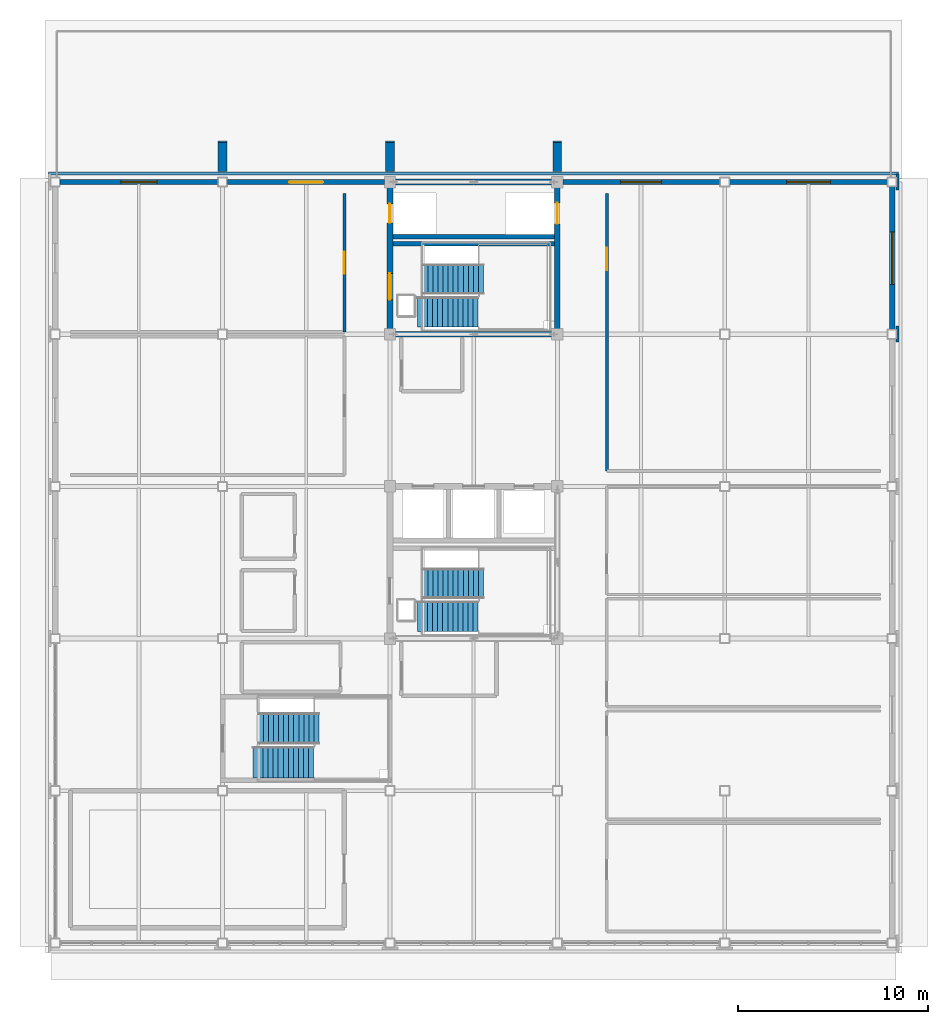
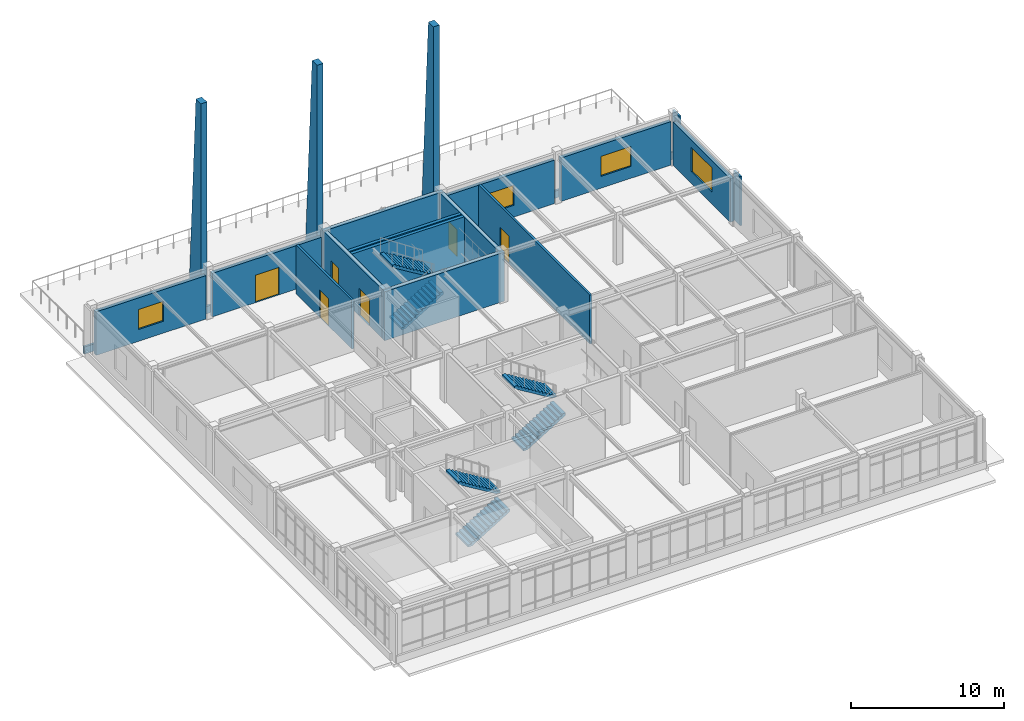
# One storey, part 16 of 22: 19 walls, 6 doors, 6 stair flights, 4 windows, 10 openings, 3 elements without a shape of their own.
"""IFC4 building model written with IfcOpenShell, lengths in metres."""

from ifc_helpers import new_model, si_unit, direction, frame, frame_2d, origin, place, context, subcontext, project, spatial, polyline, rectangle, outline, extrude, material, layer, layer_set, type_object, element, fill, aggregate, save


model = new_model("IFC4")

# Units and contexts
model_context = context("Model", 3, precision=1e-05, world=origin(), true_north=direction((0.0, 1.0)))
body_context = subcontext(model_context, "Body", "Model", "MODEL_VIEW")
ifc_project = project(units=[si_unit("LENGTHUNIT", "METRE"), si_unit("AREAUNIT", "SQUARE_METRE"), si_unit("VOLUMEUNIT", "CUBIC_METRE"), si_unit("PLANEANGLEUNIT", "RADIAN"), si_unit("MASSUNIT", "GRAM", prefix="KILO")], contexts=[model_context])

# Site, building, storey
site_placement = place(None, origin())
site = spatial("IfcSite", under=ifc_project, at=site_placement, CompositionType="ELEMENT")
building_placement = place(site_placement, origin())
building = spatial("IfcBuilding", under=site, at=building_placement, Name="Zhaolan Boulevard Law Courts", CompositionType="ELEMENT")
storey_placement = place(building_placement, frame((0.0, 0.0, 28.800048828125)))
storey = spatial("IfcBuildingStorey", under=building, at=storey_placement, Name="L06", CompositionType="ELEMENT", Elevation=28.800048828125)

# Walls
ifc_material_1 = material(Name="Concrete C50", Category="concrete")
ifc_layer_1 = layer(ifc_material_1, 0.300048828125)
ifc_layer_set_1 = layer_set([ifc_layer_1])
wall_type_1 = type_object("IfcWallType", Name="CORE SHEAR WALL 300", PredefinedType="SHEAR", material=ifc_layer_set_1)
for number, where, z_axis, x_axis, name in (
    (1, (17.449951171875, 62.0, 0.0), (0.0, 0.0, 1.0), (1.0, 0.0, 0.0), "Core Shear Wall CW-W2-L06S"),
    (2, (26.550048828125, 70.0, 0.0), (0.0, 0.0, 1.0), (-1.0, 0.0, 0.0), "Core Shear Wall CW-W2-L06N"),
):
    element("IfcWall", number, at=place(storey_placement, frame(where, z_axis=z_axis, x_axis=x_axis)), inside=storey, type_object=wall_type_1, Name=name, PredefinedType="SHEAR", context=body_context, shape_type="SweptSolid", body=[
        extrude(rectangle(XDim=9.10009765625, YDim=0.300048828125, at=frame_2d((4.550048828125, 0.0))), origin(), (0.0, 0.0, 1.0), 3.919921875),
    ])

# Wall, openings, doors
wall_1_placement = place(storey_placement, frame((17.60009765625, 62.14990234375, 0.0), z_axis=(0.0, 0.0, 1.0), x_axis=(0.0, 1.0, 0.0)))
wall_1 = element("IfcWall", 3, at=wall_1_placement, inside=storey, type_object=wall_type_1, Name="Core Shear Wall CW-W2-L06W", PredefinedType="SHEAR", context=body_context, shape_type="SweptSolid", body=[
    extrude(rectangle(XDim=7.7001953125, YDim=0.300048828125, at=frame_2d((3.85009765625, 0.0))), origin(), (0.0, 0.0, 1.0), 3.919921875),
])
opening_1_placement = place(wall_1_placement, frame((1.64990234375, 0.0, 0.0)))
opening_1 = element("IfcOpeningElement", 4, at=opening_1_placement, cuts=wall_1, Name="Opening SD-L06-19", PredefinedType="OPENING", context=body_context, shape_type="SweptSolid", body=[
    extrude(rectangle(XDim=1.39990234375, YDim=2.199951171875, at=frame_2d((0.699951171875, 1.10009765625))), frame((0.0, 0.159912109375, 0.0), z_axis=(0.0, -1.0, 0.0), x_axis=(1.0, 0.0, 0.0)), (0.0, 0.0, 1.0), 0.320068359375),
])
opening_2_placement = place(wall_1_placement, frame((5.699951171875, 0.0, 0.0)))
opening_2 = element("IfcOpeningElement", 5, at=opening_2_placement, cuts=wall_1, Name="Opening LD-JL-02-L06", PredefinedType="OPENING", context=body_context, shape_type="SweptSolid", body=[
    extrude(rectangle(XDim=1.0, YDim=2.14990234375, at=frame_2d((0.5, 1.074951171875))), frame((0.0, 0.159912109375, 0.0), z_axis=(0.0, -1.0, 0.0), x_axis=(1.0, 0.0, 0.0)), (0.0, 0.0, 1.0), 0.320068359375),
])
ifc_material_2 = material(Name="Stainless steel sliding landing door", Category="steel")
door_type_1 = type_object("IfcDoorType", Name="LIFT LANDING 1000X2150", OperationType="DOUBLE_DOOR_SLIDING", PredefinedType="DOOR", material=ifc_material_2)
door_1_placement = place(opening_2_placement, origin())
door_1 = element("IfcDoor", 6, at=door_1_placement, inside=storey, type_object=door_type_1, Name="Lift Landing Sliding Door LD-JL-02-L06", OperationType="DOUBLE_DOOR_SLIDING", OverallHeight=2.14990234375, OverallWidth=1.0, PredefinedType="DOOR", context=body_context, shape_type="SweptSolid", body=[
    extrude(rectangle(XDim=1.0, YDim=2.14990234375, at=frame_2d((0.5, 1.074951171875))), frame((0.0, 0.02490234375, 0.0), z_axis=(0.0, -1.0, 0.0), x_axis=(1.0, 0.0, 0.0)), (0.0, 0.0, 1.0), 0.050048828125),
])
fill(opening_2, door_1)
ifc_material_3 = material(Name="Fire-rated steel acoustic door", Category="steel")
door_type_2 = type_object("IfcDoorType", Name="STAIR FIRE 1400X2200 L", OperationType="SINGLE_SWING_LEFT", PredefinedType="DOOR", material=ifc_material_3)
door_2_placement = place(opening_1_placement, origin())
door_2 = element("IfcDoor", 7, at=door_2_placement, inside=storey, type_object=door_type_2, Name="Smoke-Proof Stairwell Fire Door SD-L06-19", OperationType="SINGLE_SWING_LEFT", OverallHeight=2.199951171875, OverallWidth=1.39990234375, PredefinedType="DOOR", context=body_context, shape_type="SweptSolid", body=[
    extrude(rectangle(XDim=1.39990234375, YDim=2.199951171875, at=frame_2d((0.699951171875, 1.10009765625))), frame((0.0, 0.02490234375, 0.0), z_axis=(0.0, -1.0, 0.0), x_axis=(1.0, 0.0, 0.0)), (0.0, 0.0, 1.0), 0.050048828125),
])
fill(opening_1, door_2)

# Wall, opening, door
wall_2_placement = place(storey_placement, frame((26.39990234375, 62.14990234375, 0.0), z_axis=(0.0, 0.0, 1.0), x_axis=(0.0, 1.0, 0.0)))
wall_2 = element("IfcWall", 8, at=wall_2_placement, inside=storey, type_object=wall_type_1, Name="Core Shear Wall CW-W2-L06E", PredefinedType="SHEAR", context=body_context, shape_type="SweptSolid", body=[
    extrude(rectangle(XDim=7.7001953125, YDim=0.300048828125, at=frame_2d((3.85009765625, 0.0))), origin(), (0.0, 0.0, 1.0), 3.919921875),
])
opening_3_placement = place(wall_2_placement, frame((5.64990234375, 0.0, 0.0)))
opening_3 = element("IfcOpeningElement", 9, at=opening_3_placement, cuts=wall_2, Name="Opening LD-FL-03-L06", PredefinedType="OPENING", context=body_context, shape_type="SweptSolid", body=[
    extrude(rectangle(XDim=1.10009765625, YDim=2.14990234375, at=frame_2d((0.550048828125, 1.074951171875))), frame((0.0, 0.159912109375, 0.0), z_axis=(0.0, -1.0, 0.0), x_axis=(1.0, 0.0, 0.0)), (0.0, 0.0, 1.0), 0.320068359375),
])
ifc_material_4 = material(Name="Stainless steel sliding landing door", Category="steel")
door_type_3 = type_object("IfcDoorType", Name="LIFT LANDING 1100X2150", OperationType="DOUBLE_DOOR_SLIDING", PredefinedType="DOOR", material=ifc_material_4)
door_3_placement = place(opening_3_placement, origin())
door_3 = element("IfcDoor", 10, at=door_3_placement, inside=storey, type_object=door_type_3, Name="Lift Landing Sliding Door LD-FL-03-L06", OperationType="DOUBLE_DOOR_SLIDING", OverallHeight=2.14990234375, OverallWidth=1.10009765625, PredefinedType="DOOR", context=body_context, shape_type="SweptSolid", body=[
    extrude(rectangle(XDim=1.10009765625, YDim=2.14990234375, at=frame_2d((0.550048828125, 1.074951171875))), frame((0.0, 0.02490234375, 0.0), z_axis=(0.0, -1.0, 0.0), x_axis=(1.0, 0.0, 0.0)), (0.0, 0.0, 1.0), 0.050048828125),
])
fill(opening_3, door_3)

# Walls
ifc_material_5 = material(Name="Concrete C40", Category="concrete")
ifc_layer_2 = layer(ifc_material_5, 0.139892578125)
ifc_layer_set_2 = layer_set([ifc_layer_2])
wall_type_2 = type_object("IfcWallType", Name="EXT WALL ARCH CLAD140", PredefinedType="SOLIDWALL", material=ifc_layer_set_2)
for number, where, z_axis, x_axis, name in (
    (11, (44.280029296875, 61.580078125, 0.0), (0.0, 0.0, 1.0), (0.0, 1.0, 0.0), "Concrete Column Cloak Pier CPR-152"),
    (12, (44.280029296875, 69.580078125, 0.0), (0.0, 0.0, 1.0), (0.0, 1.0, 0.0), "Concrete Column Cloak Pier CPR-154"),
):
    element("IfcWall", number, at=place(storey_placement, frame(where, z_axis=z_axis, x_axis=x_axis)), inside=storey, type_object=wall_type_2, Name=name, PredefinedType="SOLIDWALL", context=body_context, shape_type="SweptSolid", body=[
        extrude(rectangle(XDim=0.83984375, YDim=0.139892578125, at=frame_2d((0.419921875, 0.0))), origin(), (0.0, 0.0, 1.0), 3.93994140625),
    ])
ifc_material_6 = material(Name="Concrete C40", Category="concrete")
ifc_layer_3 = layer(ifc_material_6, 0.159912109375)
ifc_layer_set_3 = layer_set([ifc_layer_3])
wall_type_3 = type_object("IfcWallType", Name="EXT WALL ARCH CLAD160", PredefinedType="SOLIDWALL", material=ifc_layer_set_3)
wall_3_placement = place(storey_placement, frame((44.340087890625, 70.43994140625, 0.0), z_axis=(0.0, 0.0, 1.0), x_axis=(-1.0, 0.0, 0.0)))
element("IfcWall", 13, at=wall_3_placement, inside=storey, type_object=wall_type_3, Name="Sculpted Concrete Spandrel Band CBW-142", PredefinedType="SOLIDWALL", context=body_context, shape_type="SweptSolid", body=[
    extrude(rectangle(XDim=44.68017578125, YDim=0.159912109375, at=frame_2d((22.340087890625, 0.0))), origin(), (0.0, 0.0, 1.0), 0.579833984375),
])
ifc_material_7 = material(Name="Concrete C40", Category="concrete")
ifc_layer_4 = layer(ifc_material_7, 0.4599609375)
ifc_layer_set_4 = layer_set([ifc_layer_4])
wall_type_4 = type_object("IfcWallType", Name="EXT WALL BUTTRESS460", PredefinedType="SOLIDWALL", material=ifc_layer_set_4)
for number, where, z_axis, x_axis, name in (
    (14, (8.800048828125, 70.550048828125, 0.0), (0.0, 0.0, 1.0), (0.0, 1.0, 0.0), "Sculpted Upper North Concrete Fin SCF-233"),
    (15, (17.60009765625, 70.550048828125, 0.0), (0.0, 0.0, 1.0), (0.0, 1.0, 0.0), "Sculpted Upper North Concrete Fin SCF-234"),
    (16, (26.39990234375, 70.550048828125, 0.0), (0.0, 0.0, 1.0), (0.0, 1.0, 0.0), "Sculpted Upper North Concrete Fin SCF-235"),
):
    element("IfcWall", number, at=place(storey_placement, frame(where, z_axis=z_axis, x_axis=x_axis)), inside=storey, type_object=wall_type_4, Name=name, PredefinedType="SOLIDWALL", context=body_context, shape_type="SweptSolid", body=[
        extrude(outline(polyline([(0.0, 0.0), (1.599853515625, 0.0), (1.60009765625, 0.199951171875), (0.64990234375, 16.800048828125), (0.0, 16.800048828125), (0.0, 0.0)])), frame((0.0, 0.22998046875, 0.0), z_axis=(0.0, -1.0, 0.0), x_axis=(1.0, 0.0, 0.0)), (0.0, 0.0, 1.0), 0.4599609375),
    ])

# Wall, opening, window
ifc_material_8 = material(Name="Concrete C40", Category="concrete")
ifc_layer_5 = layer(ifc_material_8, 0.280029296875)
ifc_layer_set_5 = layer_set([ifc_layer_5])
wall_type_5 = type_object("IfcWallType", Name="EXT WALL CONCRETE280", PredefinedType="SOLIDWALL", material=ifc_layer_set_5)
wall_4_placement = place(storey_placement, frame((8.553955078125, 70.0, 0.0), z_axis=(0.0, 0.0, 1.0), x_axis=(-1.0, 0.0, 0.0)))
wall_4 = element("IfcWall", 17, at=wall_4_placement, inside=storey, type_object=wall_type_5, Name="Exterior Wall EW-L06-377", PredefinedType="SOLIDWALL", context=body_context, shape_type="SweptSolid", body=[
    extrude(rectangle(XDim=8.307861328125, YDim=0.280029296875, at=frame_2d((4.15380859375, 0.0))), origin(), (0.0, 0.0, 1.0), 3.48291015625),
])
opening_4_placement = place(wall_4_placement, frame((3.2041015625, 0.0, 0.949951171875)))
opening_4 = element("IfcOpeningElement", 18, at=opening_4_placement, cuts=wall_4, Name="Opening WIN-L06-228", PredefinedType="OPENING", context=body_context, shape_type="SweptSolid", body=[
    extrude(rectangle(XDim=1.89990234375, YDim=1.60009765625, at=frame_2d((0.949951171875, 0.800048828125))), frame((0.0, 0.14990234375, 0.0), z_axis=(0.0, -1.0, 0.0), x_axis=(1.0, 0.0, 0.0)), (0.0, 0.0, 1.0), 0.300048828125),
])
ifc_material_9 = material(Name="Thermally broken aluminium and low-E glazing", Category="aluminium")
window_type_1 = type_object("IfcWindowType", Name="WINDOW 1900X1600", PartitioningType="DOUBLE_PANEL_VERTICAL", PredefinedType="WINDOW", material=ifc_material_9)
window_1_placement = place(opening_4_placement, origin())
window_1 = element("IfcWindow", 19, at=window_1_placement, inside=storey, type_object=window_type_1, Name="Exterior Window WIN-L06-228", OverallHeight=1.60009765625, OverallWidth=1.89990234375, PartitioningType="SINGLE_PANEL", PredefinedType="WINDOW", context=body_context, shape_type="SweptSolid", body=[
    extrude(rectangle(XDim=1.89990234375, YDim=1.60009765625, at=frame_2d((0.949951171875, 0.800048828125))), frame((0.0, 0.030029296875, 0.0), z_axis=(0.0, -1.0, 0.0), x_axis=(1.0, 0.0, 0.0)), (0.0, 0.0, 1.0), 0.06005859375),
])
fill(opening_4, window_1)

# Wall, opening, door
wall_5_placement = place(storey_placement, frame((17.303955078125, 70.0, 0.0), z_axis=(0.0, 0.0, 1.0), x_axis=(-1.0, 0.0, 0.0)))
wall_5 = element("IfcWall", 20, at=wall_5_placement, inside=storey, type_object=wall_type_5, Name="Exterior Wall EW-L06-378", PredefinedType="SOLIDWALL", context=body_context, shape_type="SweptSolid", body=[
    extrude(rectangle(XDim=8.258056640625, YDim=0.280029296875, at=frame_2d((4.12890625, 0.0))), origin(), (0.0, 0.0, 1.0), 3.48291015625),
])
opening_5_placement = place(wall_5_placement, frame((3.2041015625, 0.0, 0.0)))
opening_5 = element("IfcOpeningElement", 21, at=opening_5_placement, cuts=wall_5, Name="Opening TD-L06-01", PredefinedType="OPENING", context=body_context, shape_type="SweptSolid", body=[
    extrude(rectangle(XDim=1.800048828125, YDim=2.199951171875, at=frame_2d((0.89990234375, 1.10009765625))), frame((0.0, 0.14990234375, 0.0), z_axis=(0.0, -1.0, 0.0), x_axis=(1.0, 0.0, 0.0)), (0.0, 0.0, 1.0), 0.300048828125),
])
ifc_material_10 = material(Name="Insulated powder-coated steel and safety glass", Category="steel")
door_type_4 = type_object("IfcDoorType", Name="TERRACE DOOR 1800X2200", OperationType="DOUBLE_DOOR_SINGLE_SWING", PredefinedType="DOOR", material=ifc_material_10)
door_4_placement = place(opening_5_placement, origin())
door_4 = element("IfcDoor", 22, at=door_4_placement, inside=storey, type_object=door_type_4, Name="Terrace Access Door TD-L06-01", OperationType="DOUBLE_DOOR_SINGLE_SWING", OverallHeight=2.199951171875, OverallWidth=1.800048828125, PredefinedType="DOOR", context=body_context, shape_type="SweptSolid", body=[
    extrude(rectangle(XDim=1.800048828125, YDim=2.199951171875, at=frame_2d((0.89990234375, 1.10009765625))), frame((0.0, 0.02490234375, 0.0), z_axis=(0.0, -1.0, 0.0), x_axis=(1.0, 0.0, 0.0)), (0.0, 0.0, 1.0), 0.050048828125),
])
fill(opening_5, door_4)

# Wall, opening, window
wall_6_placement = place(storey_placement, frame((34.9541015625, 70.0, 0.0), z_axis=(0.0, 0.0, 1.0), x_axis=(-1.0, 0.0, 0.0)))
wall_6 = element("IfcWall", 23, at=wall_6_placement, inside=storey, type_object=wall_type_5, Name="Exterior Wall EW-L06-379", PredefinedType="SOLIDWALL", context=body_context, shape_type="SweptSolid", body=[
    extrude(rectangle(XDim=8.258056640625, YDim=0.280029296875, at=frame_2d((4.12890625, 0.0))), origin(), (0.0, 0.0, 1.0), 3.48291015625),
])
opening_6_placement = place(wall_6_placement, frame((3.0791015625, 0.0, 0.949951171875)))
opening_6 = element("IfcOpeningElement", 24, at=opening_6_placement, cuts=wall_6, Name="Opening WIN-L06-229", PredefinedType="OPENING", context=body_context, shape_type="SweptSolid", body=[
    extrude(rectangle(XDim=2.14990234375, YDim=1.60009765625, at=frame_2d((1.074951171875, 0.800048828125))), frame((0.0, 0.14990234375, 0.0), z_axis=(0.0, -1.0, 0.0), x_axis=(1.0, 0.0, 0.0)), (0.0, 0.0, 1.0), 0.300048828125),
])
ifc_material_11 = material(Name="Thermally broken aluminium and low-E glazing", Category="aluminium")
window_type_2 = type_object("IfcWindowType", Name="WINDOW 2150X1600", PartitioningType="DOUBLE_PANEL_VERTICAL", PredefinedType="WINDOW", material=ifc_material_11)
window_2_placement = place(opening_6_placement, origin())
window_2 = element("IfcWindow", 25, at=window_2_placement, inside=storey, type_object=window_type_2, Name="Exterior Window WIN-L06-229", OverallHeight=1.60009765625, OverallWidth=2.14990234375, PartitioningType="SINGLE_PANEL", PredefinedType="WINDOW", context=body_context, shape_type="SweptSolid", body=[
    extrude(rectangle(XDim=2.14990234375, YDim=1.60009765625, at=frame_2d((1.074951171875, 0.800048828125))), frame((0.0, 0.030029296875, 0.0), z_axis=(0.0, -1.0, 0.0), x_axis=(1.0, 0.0, 0.0)), (0.0, 0.0, 1.0), 0.06005859375),
])
fill(opening_6, window_2)

wall_7_placement = place(storey_placement, frame((43.75390625, 70.0, 0.0), z_axis=(0.0, 0.0, 1.0), x_axis=(-1.0, 0.0, 0.0)))
wall_7 = element("IfcWall", 26, at=wall_7_placement, inside=storey, type_object=wall_type_5, Name="Exterior Wall EW-L06-380", PredefinedType="SOLIDWALL", context=body_context, shape_type="SweptSolid", body=[
    extrude(rectangle(XDim=8.307861328125, YDim=0.280029296875, at=frame_2d((4.15380859375, 0.0))), origin(), (0.0, 0.0, 1.0), 3.48291015625),
])
opening_7_placement = place(wall_7_placement, frame((3.00390625, 0.0, 0.949951171875)))
opening_7 = element("IfcOpeningElement", 27, at=opening_7_placement, cuts=wall_7, Name="Opening WIN-L06-230", PredefinedType="OPENING", context=body_context, shape_type="SweptSolid", body=[
    extrude(rectangle(XDim=2.300048828125, YDim=1.60009765625, at=frame_2d((1.14990234375, 0.800048828125))), frame((0.0, 0.14990234375, 0.0), z_axis=(0.0, -1.0, 0.0), x_axis=(1.0, 0.0, 0.0)), (0.0, 0.0, 1.0), 0.300048828125),
])
ifc_material_12 = material(Name="Thermally broken aluminium and low-E glazing", Category="aluminium")
window_type_3 = type_object("IfcWindowType", Name="WINDOW 2300X1600", PartitioningType="DOUBLE_PANEL_VERTICAL", PredefinedType="WINDOW", material=ifc_material_12)
window_3_placement = place(opening_7_placement, origin())
window_3 = element("IfcWindow", 28, at=window_3_placement, inside=storey, type_object=window_type_3, Name="Exterior Window WIN-L06-230", OverallHeight=1.60009765625, OverallWidth=2.300048828125, PartitioningType="SINGLE_PANEL", PredefinedType="WINDOW", context=body_context, shape_type="SweptSolid", body=[
    extrude(rectangle(XDim=2.300048828125, YDim=1.60009765625, at=frame_2d((1.14990234375, 0.800048828125))), frame((0.0, 0.030029296875, 0.0), z_axis=(0.0, -1.0, 0.0), x_axis=(1.0, 0.0, 0.0)), (0.0, 0.0, 1.0), 0.06005859375),
])
fill(opening_7, window_3)

wall_8_placement = place(storey_placement, frame((44.0, 62.24609375, 0.0), z_axis=(0.0, 0.0, 1.0), x_axis=(0.0, 1.0, 0.0)))
wall_8 = element("IfcWall", 29, at=wall_8_placement, inside=storey, type_object=wall_type_5, Name="Exterior Wall EW-L06-388", PredefinedType="SOLIDWALL", context=body_context, shape_type="SweptSolid", body=[
    extrude(rectangle(XDim=7.5078125, YDim=0.280029296875, at=frame_2d((3.75390625, 0.0))), origin(), (0.0, 0.0, 1.0), 3.48291015625),
])
opening_8_placement = place(wall_8_placement, frame((2.37890625, 0.0, 0.949951171875)))
opening_8 = element("IfcOpeningElement", 30, at=opening_8_placement, cuts=wall_8, Name="Opening WIN-L06-238", PredefinedType="OPENING", context=body_context, shape_type="SweptSolid", body=[
    extrude(rectangle(XDim=2.75, YDim=1.949951171875, at=frame_2d((1.375, 0.97509765625))), frame((0.0, 0.14990234375, 0.0), z_axis=(0.0, -1.0, 0.0), x_axis=(1.0, 0.0, 0.0)), (0.0, 0.0, 1.0), 0.300048828125),
])
ifc_material_13 = material(Name="Thermally broken aluminium and low-E glazing", Category="aluminium")
window_type_4 = type_object("IfcWindowType", Name="WINDOW 2750X1950", PartitioningType="DOUBLE_PANEL_VERTICAL", PredefinedType="WINDOW", material=ifc_material_13)
window_4_placement = place(opening_8_placement, origin())
window_4 = element("IfcWindow", 31, at=window_4_placement, inside=storey, type_object=window_type_4, Name="Exterior Window WIN-L06-238", OverallHeight=1.949951171875, OverallWidth=2.75, PartitioningType="SINGLE_PANEL", PredefinedType="WINDOW", context=body_context, shape_type="SweptSolid", body=[
    extrude(rectangle(XDim=2.75, YDim=1.949951171875, at=frame_2d((1.375, 0.97509765625))), frame((0.0, 0.030029296875, 0.0), z_axis=(0.0, -1.0, 0.0), x_axis=(1.0, 0.0, 0.0)), (0.0, 0.0, 1.0), 0.06005859375),
])
fill(opening_8, window_4)

# Wall
ifc_material_14 = material(Name="Concrete C50", Category="concrete")
ifc_layer_6 = layer(ifc_material_14, 0.239990234375)
ifc_layer_set_6 = layer_set([ifc_layer_6])
wall_type_6 = type_object("IfcWallType", Name="LIFT SHAFT WALL 240", PredefinedType="SHEAR", material=ifc_layer_set_6)
wall_9_placement = place(storey_placement, frame((17.75, 67.1298828125, 0.0), z_axis=(0.0, 0.0, 1.0), x_axis=(1.0, 0.0, 0.0)))
element("IfcWall", 32, at=wall_9_placement, inside=storey, type_object=wall_type_6, Name="Lift Shaft Enclosure Wall W2 (L06)", PredefinedType="SHEAR", context=body_context, shape_type="SweptSolid", body=[
    extrude(rectangle(XDim=8.5, YDim=0.239990234375, at=frame_2d((4.25, 0.0))), origin(), (0.0, 0.0, 1.0), 3.919921875),
])

# Wall, opening, door
ifc_material_15 = material(Name="Fire-rated gypsum stud partition")
ifc_layer_7 = layer(ifc_material_15, 0.159912109375)
ifc_layer_set_7 = layer_set([ifc_layer_7])
wall_type_7 = type_object("IfcWallType", Name="PART WALL CHAMB160", PredefinedType="PARTITIONING", material=ifc_layer_set_7)
wall_10_placement = place(storey_placement, frame((15.199951171875, 62.110107421875, 0.0), z_axis=(0.0, 0.0, 1.0), x_axis=(0.0, 1.0, 0.0)))
wall_10 = element("IfcWall", 33, at=wall_10_placement, inside=storey, type_object=wall_type_7, Name="Interior Partition PW-L06-674", PredefinedType="PARTITIONING", context=body_context, shape_type="SweptSolid", body=[
    extrude(rectangle(XDim=7.289794921875, YDim=0.159912109375, at=frame_2d((3.64501953125, 0.0))), origin(), (0.0, 0.0, 1.0), 3.919921875),
])
opening_9_placement = place(wall_10_placement, frame((3.070068359375, 0.0, 0.0)))
opening_9 = element("IfcOpeningElement", 34, at=opening_9_placement, cuts=wall_10, Name="Opening JR-L06-205", PredefinedType="OPENING", context=body_context, shape_type="SweptSolid", body=[
    extrude(rectangle(XDim=1.14990234375, YDim=2.199951171875, at=frame_2d((0.574951171875, 1.10009765625))), frame((0.0, 0.08984375, 0.0), z_axis=(0.0, -1.0, 0.0), x_axis=(1.0, 0.0, 0.0)), (0.0, 0.0, 1.0), 0.179931640625),
])
ifc_material_16 = material(Name="Solid-core acoustic oak veneer door")
door_type_5 = type_object("IfcDoorType", Name="JURY DOOR 1150X2200 L", OperationType="SINGLE_SWING_LEFT", PredefinedType="DOOR", material=ifc_material_16)
door_5_placement = place(opening_9_placement, origin())
door_5 = element("IfcDoor", 35, at=door_5_placement, inside=storey, type_object=door_type_5, Name="Door JR-L06-205 (Jury Room L06-02)", OperationType="SINGLE_SWING_LEFT", OverallHeight=2.199951171875, OverallWidth=1.14990234375, PredefinedType="DOOR", context=body_context, shape_type="SweptSolid", body=[
    extrude(rectangle(XDim=1.14990234375, YDim=2.199951171875, at=frame_2d((0.574951171875, 1.10009765625))), frame((0.0, 0.02490234375, 0.0), z_axis=(0.0, -1.0, 0.0), x_axis=(1.0, 0.0, 0.0)), (0.0, 0.0, 1.0), 0.050048828125),
])
fill(opening_9, door_5)

wall_11_placement = place(storey_placement, frame((29.0, 69.39990234375, 0.0), z_axis=(0.0, 0.0, 1.0), x_axis=(0.0, -1.0, 0.0)))
wall_11 = element("IfcWall", 36, at=wall_11_placement, inside=storey, type_object=wall_type_7, Name="Interior Partition PW-L06-688", PredefinedType="PARTITIONING", context=body_context, shape_type="SweptSolid", body=[
    extrude(rectangle(XDim=14.599853515625, YDim=0.159912109375, at=frame_2d((7.2998046875, 0.0))), origin(), (0.0, 0.0, 1.0), 3.919921875),
])
opening_10_placement = place(wall_11_placement, frame((2.864013671875, 0.0, 0.0)))
opening_10 = element("IfcOpeningElement", 37, at=opening_10_placement, cuts=wall_11, Name="Opening MD-L06-210", PredefinedType="OPENING", context=body_context, shape_type="SweptSolid", body=[
    extrude(rectangle(XDim=1.179931640625, YDim=2.199951171875, at=frame_2d((0.58984375, 1.10009765625))), frame((0.0, 0.08984375, 0.0), z_axis=(0.0, -1.0, 0.0), x_axis=(1.0, 0.0, 0.0)), (0.0, 0.0, 1.0), 0.179931640625),
])
ifc_material_17 = material(Name="Solid-core acoustic oak veneer door")
door_type_6 = type_object("IfcDoorType", Name="MED DOOR 1180X2200 R", OperationType="SINGLE_SWING_RIGHT", PredefinedType="DOOR", material=ifc_material_17)
door_6_placement = place(opening_10_placement, origin())
door_6 = element("IfcDoor", 38, at=door_6_placement, inside=storey, type_object=door_type_6, Name="Door MD-L06-210 (Admiralty Arbitration Room)", OperationType="SINGLE_SWING_RIGHT", OverallHeight=2.199951171875, OverallWidth=1.179931640625, PredefinedType="DOOR", context=body_context, shape_type="SweptSolid", body=[
    extrude(rectangle(XDim=1.179931640625, YDim=2.199951171875, at=frame_2d((0.58984375, 1.10009765625))), frame((0.0, 0.02490234375, 0.0), z_axis=(0.0, -1.0, 0.0), x_axis=(1.0, 0.0, 0.0)), (0.0, 0.0, 1.0), 0.050048828125),
])
fill(opening_10, door_6)

# Wall
ifc_material_18 = material(Name="Concrete C50", Category="concrete")
ifc_layer_8 = layer(ifc_material_18, 0.239990234375)
ifc_layer_set_8 = layer_set([ifc_layer_8])
wall_type_8 = type_object("IfcWallType", Name="STAIR WELL WALL 240", PredefinedType="SHEAR", material=ifc_layer_set_8)
wall_12_placement = place(storey_placement, frame((17.75, 66.75, 0.0), z_axis=(0.0, 0.0, 1.0), x_axis=(1.0, 0.0, 0.0)))
element("IfcWall", 39, at=wall_12_placement, inside=storey, type_object=wall_type_8, Name="Stairwell Divider Shear Wall ST02-L06N", PredefinedType="SHEAR", context=body_context, shape_type="SweptSolid", body=[
    extrude(rectangle(XDim=8.5, YDim=0.239990234375, at=frame_2d((4.25, 0.0))), origin(), (0.0, 0.0, 1.0), 3.949951171875),
])

# Stair, stair flights
ifc_material_19 = material(Name="Concrete C40", Category="concrete")
stair_type_1 = type_object("IfcStairType", Name="HALF TURN STAIR 42 A", PredefinedType="HALF_TURN_STAIR", material=ifc_material_19)
stair_1_placement = place(storey_placement, origin())
stair_1 = element("IfcStair", 40, at=stair_1_placement, inside=storey, type_object=stair_type_1, Name="Stair ST03-L06", PredefinedType="HALF_TURN_STAIR")
ifc_material_20 = material(Name="Concrete C40", Category="concrete")
stair_flight_type_1 = type_object("IfcStairFlightType", Name="STAIR FLIGHT 42 A", PredefinedType="STRAIGHT", material=ifc_material_20)
stair_flight_1_placement = place(storey_placement, frame((10.39990234375, 39.5048828125, 0.0), z_axis=(0.0, 0.0, 1.0), x_axis=(1.0, 0.0, 0.0)))
stair_flight_1 = element("IfcStairFlight", 41, at=stair_flight_1_placement, type_object=stair_flight_type_1, Name="Stair Flight ST03-L06-F1", NumberOfRisers=13, NumberOfTreads=12, PredefinedType="STRAIGHT", RiserHeight=0.161538462, TreadLength=0.265, context=body_context, shape_type="SweptSolid", body=[
    extrude(outline(polyline([(0.0, 0.0), (0.0, 0.16162109375), (0.264892578125, 0.16162109375), (0.264892578125, 0.322998046875), (0.530029296875, 0.322998046875), (0.530029296875, 0.484619140625), (0.794921875, 0.484619140625), (0.794921875, 0.646240234375), (1.06005859375, 0.646240234375), (1.06005859375, 0.8076171875), (1.324951171875, 0.8076171875), (1.324951171875, 0.96923828125), (1.590087890625, 0.96923828125), (1.590087890625, 1.130859375), (1.85498046875, 1.130859375), (1.85498046875, 1.292236328125), (2.1201171875, 1.292236328125), (2.1201171875, 1.453857421875), (2.385009765625, 1.453857421875), (2.385009765625, 1.615478515625), (2.64990234375, 1.615478515625), (2.64990234375, 1.77685546875), (2.9150390625, 1.77685546875), (2.9150390625, 1.9384765625), (3.179931640625, 1.9384765625), (3.179931640625, 2.10009765625), (3.179931640625, 1.751220703125), (0.30712890625, 0.0), (0.0, 0.0)])), frame((0.0, 0.824951171875, 0.0), z_axis=(0.0, -1.0, 0.0), x_axis=(1.0, 0.0, 0.0)), (0.0, 0.0, 1.0), 1.64990234375),
])
stair_flight_2_placement = place(storey_placement, frame((13.864990234375, 41.2548828125, 2.099853515625), z_axis=(0.0, 0.0, 1.0), x_axis=(-1.0, 0.0, 0.0)))
stair_flight_2 = element("IfcStairFlight", 42, at=stair_flight_2_placement, type_object=stair_flight_type_1, Name="Stair Flight ST03-L06-F2", NumberOfRisers=13, NumberOfTreads=12, PredefinedType="STRAIGHT", RiserHeight=0.161538462, TreadLength=0.265, context=body_context, shape_type="SweptSolid", body=[
    extrude(outline(polyline([(0.0, 0.0), (0.0, 0.16162109375), (0.264892578125, 0.16162109375), (0.264892578125, 0.322998046875), (0.530029296875, 0.322998046875), (0.530029296875, 0.484619140625), (0.794921875, 0.484619140625), (0.794921875, 0.646240234375), (1.06005859375, 0.646240234375), (1.06005859375, 0.8076171875), (1.324951171875, 0.8076171875), (1.324951171875, 0.96923828125), (1.590087890625, 0.96923828125), (1.590087890625, 1.130859375), (1.85498046875, 1.130859375), (1.85498046875, 1.292236328125), (2.1201171875, 1.292236328125), (2.1201171875, 1.453857421875), (2.385009765625, 1.453857421875), (2.385009765625, 1.615478515625), (2.64990234375, 1.615478515625), (2.64990234375, 1.77685546875), (2.9150390625, 1.77685546875), (2.9150390625, 1.9384765625), (3.179931640625, 1.9384765625), (3.179931640625, 2.10009765625), (3.179931640625, 1.751220703125), (0.30712890625, 0.0), (0.0, 0.0)])), frame((0.0, 0.824951171875, 0.0), z_axis=(0.0, -1.0, 0.0), x_axis=(1.0, 0.0, 0.0)), (0.0, 0.0, 1.0), 1.64990234375),
])
aggregate(stair_1, [stair_flight_1, stair_flight_2])

ifc_material_21 = material(Name="Concrete C40", Category="concrete")
stair_type_2 = type_object("IfcStairType", Name="HALF TURN STAIR 42 B", PredefinedType="HALF_TURN_STAIR", material=ifc_material_21)
stair_2_placement = place(storey_placement, origin())
stair_2 = element("IfcStair", 43, at=stair_2_placement, inside=storey, type_object=stair_type_2, Name="Stair ST01-L06", PredefinedType="HALF_TURN_STAIR")
ifc_material_22 = material(Name="Concrete C40", Category="concrete")
stair_flight_type_2 = type_object("IfcStairFlightType", Name="STAIR FLIGHT 42 B", PredefinedType="STRAIGHT", material=ifc_material_22)
stair_flight_3_placement = place(storey_placement, frame((19.050048828125, 47.179931640625, 0.0), z_axis=(0.0, 0.0, 1.0), x_axis=(1.0, 0.0, 0.0)))
stair_flight_3 = element("IfcStairFlight", 44, at=stair_flight_3_placement, type_object=stair_flight_type_2, Name="Stair Flight ST01-L06-F1", NumberOfRisers=13, NumberOfTreads=12, PredefinedType="STRAIGHT", RiserHeight=0.161538462, TreadLength=0.265, context=body_context, shape_type="SweptSolid", body=[
    extrude(outline(polyline([(0.0, 0.0), (0.0, 0.16162109375), (0.264892578125, 0.16162109375), (0.264892578125, 0.322998046875), (0.530029296875, 0.322998046875), (0.530029296875, 0.484619140625), (0.794921875, 0.484619140625), (0.794921875, 0.646240234375), (1.06005859375, 0.646240234375), (1.06005859375, 0.8076171875), (1.324951171875, 0.8076171875), (1.324951171875, 0.96923828125), (1.590087890625, 0.96923828125), (1.590087890625, 1.130859375), (1.85498046875, 1.130859375), (1.85498046875, 1.292236328125), (2.1201171875, 1.292236328125), (2.1201171875, 1.453857421875), (2.385009765625, 1.453857421875), (2.385009765625, 1.615478515625), (2.64990234375, 1.615478515625), (2.64990234375, 1.77685546875), (2.9150390625, 1.77685546875), (2.9150390625, 1.9384765625), (3.179931640625, 1.9384765625), (3.179931640625, 2.10009765625), (3.179931640625, 1.751220703125), (0.30712890625, 0.0), (0.0, 0.0)])), frame((0.0, 0.800048828125, 0.0), z_axis=(0.0, -1.0, 0.0), x_axis=(1.0, 0.0, 0.0)), (0.0, 0.0, 1.0), 1.60009765625),
])
stair_flight_4_placement = place(storey_placement, frame((22.514892578125, 48.8798828125, 2.099853515625), z_axis=(0.0, 0.0, 1.0), x_axis=(-1.0, 0.0, 0.0)))
stair_flight_4 = element("IfcStairFlight", 45, at=stair_flight_4_placement, type_object=stair_flight_type_2, Name="Stair Flight ST01-L06-F2", NumberOfRisers=13, NumberOfTreads=12, PredefinedType="STRAIGHT", RiserHeight=0.161538462, TreadLength=0.265, context=body_context, shape_type="SweptSolid", body=[
    extrude(outline(polyline([(0.0, 0.0), (0.0, 0.16162109375), (0.264892578125, 0.16162109375), (0.264892578125, 0.322998046875), (0.530029296875, 0.322998046875), (0.530029296875, 0.484619140625), (0.794921875, 0.484619140625), (0.794921875, 0.646240234375), (1.06005859375, 0.646240234375), (1.06005859375, 0.8076171875), (1.324951171875, 0.8076171875), (1.324951171875, 0.96923828125), (1.590087890625, 0.96923828125), (1.590087890625, 1.130859375), (1.85498046875, 1.130859375), (1.85498046875, 1.292236328125), (2.1201171875, 1.292236328125), (2.1201171875, 1.453857421875), (2.385009765625, 1.453857421875), (2.385009765625, 1.615478515625), (2.64990234375, 1.615478515625), (2.64990234375, 1.77685546875), (2.9150390625, 1.77685546875), (2.9150390625, 1.9384765625), (3.179931640625, 1.9384765625), (3.179931640625, 2.10009765625), (3.179931640625, 1.751220703125), (0.30712890625, 0.0), (0.0, 0.0)])), frame((0.0, 0.800048828125, 0.0), z_axis=(0.0, -1.0, 0.0), x_axis=(1.0, 0.0, 0.0)), (0.0, 0.0, 1.0), 1.60009765625),
])
aggregate(stair_2, [stair_flight_3, stair_flight_4])

stair_3_placement = place(storey_placement, origin())
stair_3 = element("IfcStair", 46, at=stair_3_placement, inside=storey, type_object=stair_type_2, Name="Stair ST02-L06", PredefinedType="HALF_TURN_STAIR")
stair_flight_5_placement = place(storey_placement, frame((19.050048828125, 63.179931640625, 0.0), z_axis=(0.0, 0.0, 1.0), x_axis=(1.0, 0.0, 0.0)))
stair_flight_5 = element("IfcStairFlight", 47, at=stair_flight_5_placement, type_object=stair_flight_type_2, Name="Stair Flight ST02-L06-F1", NumberOfRisers=13, NumberOfTreads=12, PredefinedType="STRAIGHT", RiserHeight=0.161538462, TreadLength=0.265, context=body_context, shape_type="SweptSolid", body=[
    extrude(outline(polyline([(0.0, 0.0), (0.0, 0.16162109375), (0.264892578125, 0.16162109375), (0.264892578125, 0.322998046875), (0.530029296875, 0.322998046875), (0.530029296875, 0.484619140625), (0.794921875, 0.484619140625), (0.794921875, 0.646240234375), (1.06005859375, 0.646240234375), (1.06005859375, 0.8076171875), (1.324951171875, 0.8076171875), (1.324951171875, 0.96923828125), (1.590087890625, 0.96923828125), (1.590087890625, 1.130859375), (1.85498046875, 1.130859375), (1.85498046875, 1.292236328125), (2.1201171875, 1.292236328125), (2.1201171875, 1.453857421875), (2.385009765625, 1.453857421875), (2.385009765625, 1.615478515625), (2.64990234375, 1.615478515625), (2.64990234375, 1.77685546875), (2.9150390625, 1.77685546875), (2.9150390625, 1.9384765625), (3.179931640625, 1.9384765625), (3.179931640625, 2.10009765625), (3.179931640625, 1.751220703125), (0.30712890625, 0.0), (0.0, 0.0)])), frame((0.0, 0.800048828125, 0.0), z_axis=(0.0, -1.0, 0.0), x_axis=(1.0, 0.0, 0.0)), (0.0, 0.0, 1.0), 1.60009765625),
])
stair_flight_6_placement = place(storey_placement, frame((22.514892578125, 64.8798828125, 2.099853515625), z_axis=(0.0, 0.0, 1.0), x_axis=(-1.0, 0.0, 0.0)))
stair_flight_6 = element("IfcStairFlight", 48, at=stair_flight_6_placement, type_object=stair_flight_type_2, Name="Stair Flight ST02-L06-F2", NumberOfRisers=13, NumberOfTreads=12, PredefinedType="STRAIGHT", RiserHeight=0.161538462, TreadLength=0.265, context=body_context, shape_type="SweptSolid", body=[
    extrude(outline(polyline([(0.0, 0.0), (0.0, 0.16162109375), (0.264892578125, 0.16162109375), (0.264892578125, 0.322998046875), (0.530029296875, 0.322998046875), (0.530029296875, 0.484619140625), (0.794921875, 0.484619140625), (0.794921875, 0.646240234375), (1.06005859375, 0.646240234375), (1.06005859375, 0.8076171875), (1.324951171875, 0.8076171875), (1.324951171875, 0.96923828125), (1.590087890625, 0.96923828125), (1.590087890625, 1.130859375), (1.85498046875, 1.130859375), (1.85498046875, 1.292236328125), (2.1201171875, 1.292236328125), (2.1201171875, 1.453857421875), (2.385009765625, 1.453857421875), (2.385009765625, 1.615478515625), (2.64990234375, 1.615478515625), (2.64990234375, 1.77685546875), (2.9150390625, 1.77685546875), (2.9150390625, 1.9384765625), (3.179931640625, 1.9384765625), (3.179931640625, 2.10009765625), (3.179931640625, 1.751220703125), (0.30712890625, 0.0), (0.0, 0.0)])), frame((0.0, 0.800048828125, 0.0), z_axis=(0.0, -1.0, 0.0), x_axis=(1.0, 0.0, 0.0)), (0.0, 0.0, 1.0), 1.60009765625),
])
aggregate(stair_3, [stair_flight_5, stair_flight_6])

save(model, "model.ifc")
